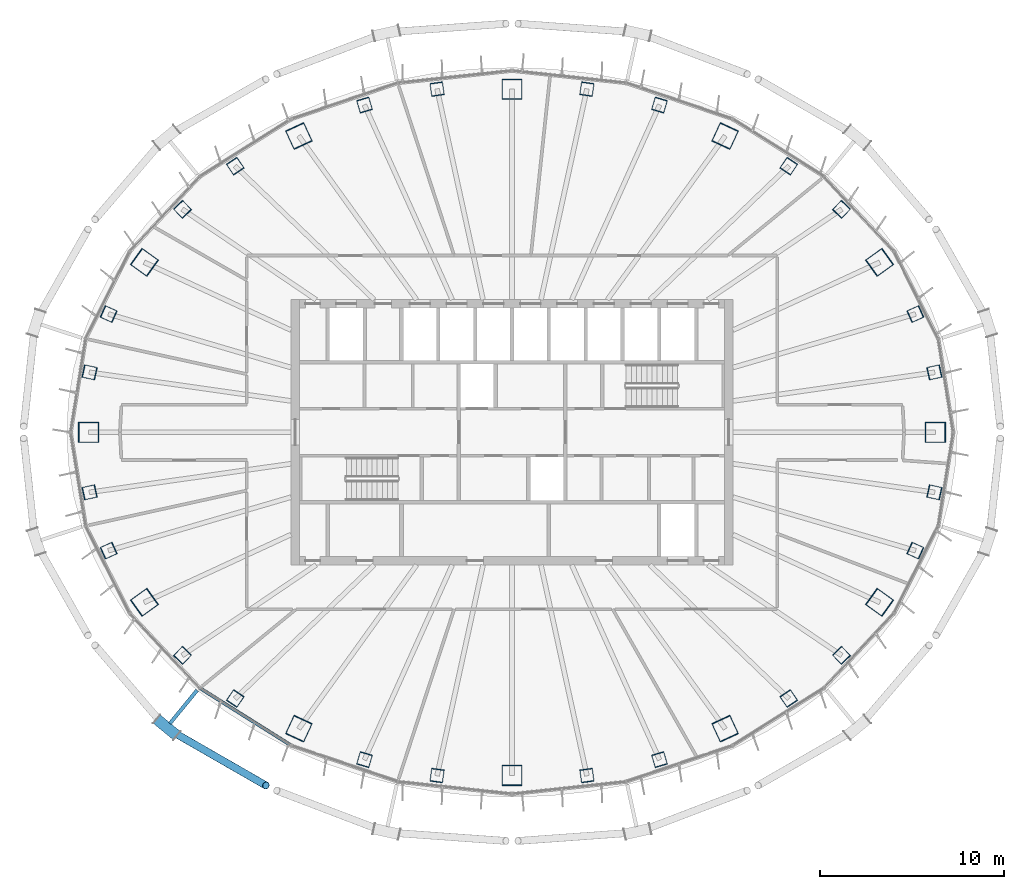
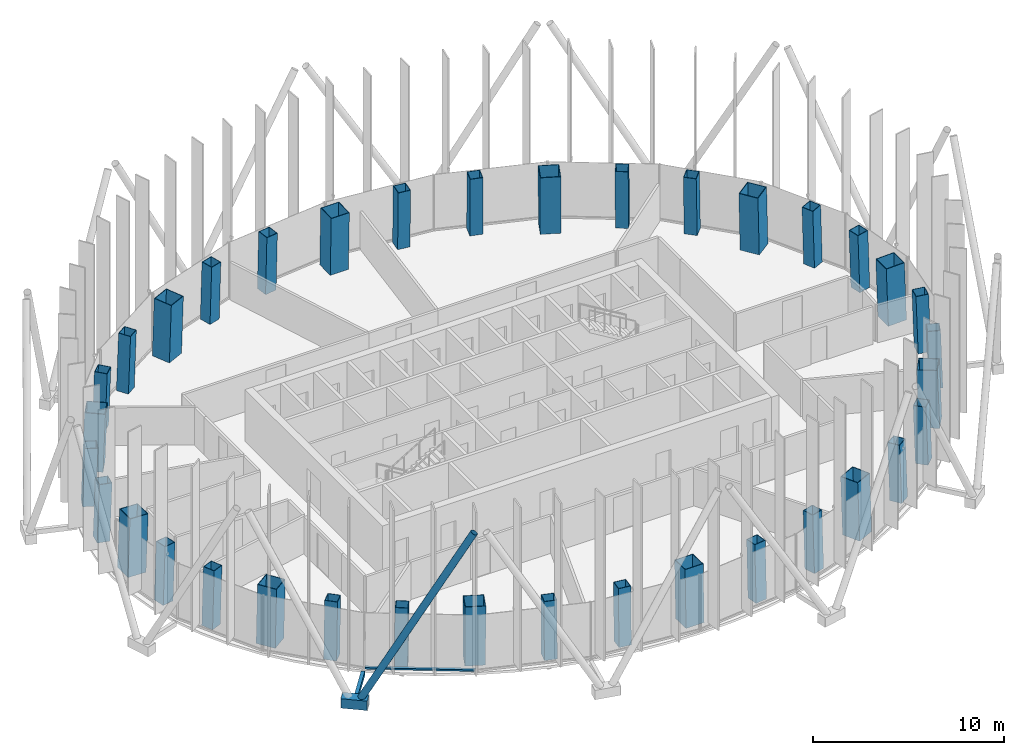
# One storey, part 1 of 18: 36 columns, 4 members, 1 element without a shape of its own.
"""IFC4 building model written with IfcOpenShell, lengths in metres."""

from ifc_helpers import new_model, si_unit, direction, frame, origin, origin_2d, place, context, subcontext, project, spatial, rectangle, hollow_rectangle, hollow_circle, extrude, material, layer, layer_set, material_profile, profile_set, type_object, element, aggregate, save


model = new_model("IFC4")

# Units and contexts
model_context = context("Model", 3, precision=1e-05, world=origin(), true_north=direction((0.0, 1.0)))
body_context = subcontext(model_context, "Body", "Model", "MODEL_VIEW")
ifc_project = project(units=[si_unit("LENGTHUNIT", "METRE"), si_unit("AREAUNIT", "SQUARE_METRE"), si_unit("VOLUMEUNIT", "CUBIC_METRE"), si_unit("PLANEANGLEUNIT", "RADIAN"), si_unit("MASSUNIT", "GRAM", prefix="KILO")], contexts=[model_context])

# Site, building, storey
site_placement = place(None, origin())
site = spatial("IfcSite", under=ifc_project, at=site_placement, CompositionType="ELEMENT")
building_placement = place(site_placement, origin())
building = spatial("IfcBuilding", under=site, at=building_placement, Name="Siaravel Broadcast Tower", CompositionType="ELEMENT")
storey_placement = place(building_placement, frame((0.0, 0.0, 157.10009765625)))
storey = spatial("IfcBuildingStorey", under=building, at=storey_placement, Name="L37", CompositionType="ELEMENT", Elevation=157.10009765625)

# Columns
ifc_material_1 = material(Name="Concrete C60/75", Category="concrete")
ifc_material_profile_1 = material_profile(ifc_material_1, hollow_rectangle(XDim=1.10009765625, YDim=1.10009765625, WallThickness=0.031982421875, at=origin_2d()))
ifc_profile_set_1 = profile_set([ifc_material_profile_1], Name="Concrete C60/75")
column_type_1 = type_object("IfcColumnType", Name="COL-CFT BOX 1100x1100x32", PredefinedType="COLUMN", material=ifc_profile_set_1)
column_1_placement = place(storey_placement, frame((23.0048828125, 0.0, 0.0), z_axis=(-0.034555398, 0.0, 0.999402784), x_axis=(0.0, -1.0, 0.0)))
element("IfcColumn", 1, at=column_1_placement, inside=storey, type_object=column_type_1, Name="Megacolumn MC01", PredefinedType="COLUMN", context=body_context, shape_type="SweptSolid", body=[
    extrude(hollow_rectangle(XDim=1.10009765625, YDim=1.10009765625, WallThickness=0.031982421875, at=origin_2d()), origin(), (0.0, 0.0, 1.0), 3.7021484375),
])
column_2_placement = place(storey_placement, frame((19.976318359375, 9.238525390625, 0.0), z_axis=(-0.029940667, -0.01417895, 0.999451106), x_axis=(0.583448476, -0.812128309, 0.005956979)))
element("IfcColumn", 2, at=column_2_placement, inside=storey, type_object=column_type_1, Name="Megacolumn MC02", PredefinedType="COLUMN", context=body_context, shape_type="SweptSolid", body=[
    extrude(hollow_rectangle(XDim=1.10009765625, YDim=1.10009765625, WallThickness=0.031982421875, at=origin_2d()), origin(), (0.0, 0.0, 1.0), 3.701904296875),
])
column_3_placement = place(storey_placement, frame((11.582275390625, 16.10498046875, 0.0), z_axis=(-0.017280237, -0.024535299, 0.999549605), x_axis=(0.908132266, -0.418648268, 0.005423523)))
element("IfcColumn", 3, at=column_3_placement, inside=storey, type_object=column_type_1, Name="Megacolumn MC03", PredefinedType="COLUMN", context=body_context, shape_type="SweptSolid", body=[
    extrude(hollow_rectangle(XDim=1.10009765625, YDim=1.10009765625, WallThickness=0.031982421875, at=origin_2d()), origin(), (0.0, 0.0, 1.0), 3.70166015625),
])
column_4_placement = place(storey_placement, frame((0.0, 18.64453125, 0.0), z_axis=(0.0, -0.028296154, 0.999599584), x_axis=(1.0, 0.0, 0.0)))
element("IfcColumn", 4, at=column_4_placement, inside=storey, type_object=column_type_1, Name="Megacolumn MC04", PredefinedType="COLUMN", context=body_context, shape_type="SweptSolid", body=[
    extrude(hollow_rectangle(XDim=1.10009765625, YDim=1.10009765625, WallThickness=0.031982421875, at=origin_2d()), origin(), (0.0, 0.0, 1.0), 3.701416015625),
])
column_5_placement = place(storey_placement, frame((-11.582275390625, 16.10498046875, 0.0), z_axis=(0.017280237, -0.024535299, 0.999549605), x_axis=(0.908132266, 0.418648268, -0.005423523)))
element("IfcColumn", 5, at=column_5_placement, inside=storey, type_object=column_type_1, Name="Megacolumn MC05", PredefinedType="COLUMN", context=body_context, shape_type="SweptSolid", body=[
    extrude(hollow_rectangle(XDim=1.10009765625, YDim=1.10009765625, WallThickness=0.031982421875, at=origin_2d()), origin(), (0.0, 0.0, 1.0), 3.70166015625),
])
column_6_placement = place(storey_placement, frame((-19.976318359375, 9.238525390625, 0.0), z_axis=(0.029940667, -0.01417895, 0.999451106), x_axis=(0.583448476, 0.812128309, -0.005956979)))
element("IfcColumn", 6, at=column_6_placement, inside=storey, type_object=column_type_1, Name="Megacolumn MC06", PredefinedType="COLUMN", context=body_context, shape_type="SweptSolid", body=[
    extrude(hollow_rectangle(XDim=1.10009765625, YDim=1.10009765625, WallThickness=0.031982421875, at=origin_2d()), origin(), (0.0, 0.0, 1.0), 3.701904296875),
])
column_7_placement = place(storey_placement, frame((-23.0048828125, 0.0, 0.0), z_axis=(0.034555398, 0.0, 0.999402784), x_axis=(0.0, 1.0, 0.0)))
element("IfcColumn", 7, at=column_7_placement, inside=storey, type_object=column_type_1, Name="Megacolumn MC07", PredefinedType="COLUMN", context=body_context, shape_type="SweptSolid", body=[
    extrude(hollow_rectangle(XDim=1.10009765625, YDim=1.10009765625, WallThickness=0.031982421875, at=origin_2d()), origin(), (0.0, 0.0, 1.0), 3.7021484375),
])
column_8_placement = place(storey_placement, frame((-19.976318359375, -9.238525390625, 0.0), z_axis=(0.029940667, 0.01417895, 0.999451106), x_axis=(-0.583448476, 0.812128309, 0.005956979)))
element("IfcColumn", 8, at=column_8_placement, inside=storey, type_object=column_type_1, Name="Megacolumn MC08", PredefinedType="COLUMN", context=body_context, shape_type="SweptSolid", body=[
    extrude(hollow_rectangle(XDim=1.10009765625, YDim=1.10009765625, WallThickness=0.031982421875, at=origin_2d()), origin(), (0.0, 0.0, 1.0), 3.701904296875),
])
column_9_placement = place(storey_placement, frame((-11.582275390625, -16.10498046875, 0.0), z_axis=(0.017280237, 0.024535299, 0.999549605), x_axis=(-0.908132266, 0.418648268, 0.005423523)))
element("IfcColumn", 9, at=column_9_placement, inside=storey, type_object=column_type_1, Name="Megacolumn MC09", PredefinedType="COLUMN", context=body_context, shape_type="SweptSolid", body=[
    extrude(hollow_rectangle(XDim=1.10009765625, YDim=1.10009765625, WallThickness=0.031982421875, at=origin_2d()), origin(), (0.0, 0.0, 1.0), 3.70166015625),
])
column_10_placement = place(storey_placement, frame((0.0, -18.64453125, 0.0), z_axis=(0.0, 0.028296154, 0.999599584), x_axis=(-1.0, 0.0, 0.0)))
element("IfcColumn", 10, at=column_10_placement, inside=storey, type_object=column_type_1, Name="Megacolumn MC10", PredefinedType="COLUMN", context=body_context, shape_type="SweptSolid", body=[
    extrude(hollow_rectangle(XDim=1.10009765625, YDim=1.10009765625, WallThickness=0.031982421875, at=origin_2d()), origin(), (0.0, 0.0, 1.0), 3.701416015625),
])
column_11_placement = place(storey_placement, frame((11.582275390625, -16.10498046875, 0.0), z_axis=(-0.017280237, 0.024535299, 0.999549605), x_axis=(-0.908132266, -0.418648268, -0.005423523)))
element("IfcColumn", 11, at=column_11_placement, inside=storey, type_object=column_type_1, Name="Megacolumn MC11", PredefinedType="COLUMN", context=body_context, shape_type="SweptSolid", body=[
    extrude(hollow_rectangle(XDim=1.10009765625, YDim=1.10009765625, WallThickness=0.031982421875, at=origin_2d()), origin(), (0.0, 0.0, 1.0), 3.70166015625),
])
column_12_placement = place(storey_placement, frame((19.976318359375, -9.238525390625, 0.0), z_axis=(-0.029940667, 0.01417895, 0.999451106), x_axis=(-0.583448476, -0.812128309, -0.005956979)))
element("IfcColumn", 12, at=column_12_placement, inside=storey, type_object=column_type_1, Name="Megacolumn MC12", PredefinedType="COLUMN", context=body_context, shape_type="SweptSolid", body=[
    extrude(hollow_rectangle(XDim=1.10009765625, YDim=1.10009765625, WallThickness=0.031982421875, at=origin_2d()), origin(), (0.0, 0.0, 1.0), 3.701904296875),
])
ifc_material_profile_2 = material_profile(ifc_material_1, hollow_rectangle(XDim=0.699951171875, YDim=0.699951171875, WallThickness=0.02490234375, at=origin_2d()))
ifc_profile_set_2 = profile_set([ifc_material_profile_2], Name="Concrete C60/75")
column_type_2 = type_object("IfcColumnType", Name="COL-CFT BOX 700x700x25", PredefinedType="COLUMN", material=ifc_profile_set_2)
for number, where, z_axis, x_axis, name in (
    (13, (22.95654296875, 3.26025390625, 0.0), (-0.034028045, -0.004879991, 0.999408964), (0.211730091, -0.97732514, 0.002436864), "Perimeter column C01"),
    (14, (21.920166015625, 6.42822265625, 0.0), (-0.032511791, -0.009694185, 0.999424337), (0.410124306, -0.912018556, 0.004495187), "Perimeter column C02"),
):
    element("IfcColumn", number, at=place(storey_placement, frame(where, z_axis=z_axis, x_axis=x_axis)), inside=storey, type_object=column_type_2, Name=name, PredefinedType="COLUMN", context=body_context, shape_type="SweptSolid", body=[
        extrude(hollow_rectangle(XDim=0.699951171875, YDim=0.699951171875, WallThickness=0.02490234375, at=origin_2d()), origin(), (0.0, 0.0, 1.0), 3.7021484375),
    ])
column_13_placement = place(storey_placement, frame((17.906494140625, 12.119140625, 0.0), z_axis=(-0.026446274, -0.018202423, 0.9994845), x_axis=(0.720935509, -0.69297209, 0.006455615)))
element("IfcColumn", 15, at=column_13_placement, inside=storey, type_object=column_type_2, Name="Perimeter column C03", PredefinedType="COLUMN", context=body_context, shape_type="SweptSolid", body=[
    extrude(hollow_rectangle(XDim=0.699951171875, YDim=0.699951171875, WallThickness=0.02490234375, at=origin_2d()), origin(), (0.0, 0.0, 1.0), 3.701904296875),
])
column_14_placement = place(storey_placement, frame((15.041259765625, 14.466064453125, 0.0), z_axis=(-0.022226124, -0.021764453, 0.999516037), x_axis=(0.829101805, -0.559062582, 0.006263059)))
element("IfcColumn", 16, at=column_14_placement, inside=storey, type_object=column_type_2, Name="Perimeter column C04", PredefinedType="COLUMN", context=body_context, shape_type="SweptSolid", body=[
    extrude(hollow_rectangle(XDim=0.699951171875, YDim=0.699951171875, WallThickness=0.02490234375, at=origin_2d()), origin(), (0.0, 0.0, 1.0), 3.70166015625),
])
for number, where, z_axis, x_axis, name in (
    (17, (8.015869140625, 17.787109375, 0.0), (-0.011872234, -0.026580613, 0.999576171), (0.959241978, -0.282559334, 0.003879389), "Perimeter column C05"),
    (18, (4.0712890625, 18.65283203125, 0.0), (-0.005936218, -0.027900223, 0.999593087), (0.990461443, -0.137775115, 0.002036467), "Perimeter column C06"),
    (19, (-4.0712890625, 18.65283203125, 0.0), (0.005936218, -0.027900223, 0.999593087), (0.990461443, 0.137775115, -0.002036467), "Perimeter column C07"),
    (20, (-8.015869140625, 17.787109375, 0.0), (0.011872234, -0.026580613, 0.999576171), (0.959241978, 0.282559334, -0.003879389), "Perimeter column C08"),
):
    element("IfcColumn", number, at=place(storey_placement, frame(where, z_axis=z_axis, x_axis=x_axis)), inside=storey, type_object=column_type_2, Name=name, PredefinedType="COLUMN", context=body_context, shape_type="SweptSolid", body=[
        extrude(hollow_rectangle(XDim=0.699951171875, YDim=0.699951171875, WallThickness=0.02490234375, at=origin_2d()), origin(), (0.0, 0.0, 1.0), 3.701416015625),
    ])
column_15_placement = place(storey_placement, frame((-15.041259765625, 14.466064453125, 0.0), z_axis=(0.022226124, -0.021764453, 0.999516037), x_axis=(0.829101805, 0.559062582, -0.006263059)))
element("IfcColumn", 21, at=column_15_placement, inside=storey, type_object=column_type_2, Name="Perimeter column C09", PredefinedType="COLUMN", context=body_context, shape_type="SweptSolid", body=[
    extrude(hollow_rectangle(XDim=0.699951171875, YDim=0.699951171875, WallThickness=0.02490234375, at=origin_2d()), origin(), (0.0, 0.0, 1.0), 3.70166015625),
])
column_16_placement = place(storey_placement, frame((-17.906494140625, 12.119140625, 0.0), z_axis=(0.026446274, -0.018202423, 0.9994845), x_axis=(0.720935509, 0.69297209, -0.006455615)))
element("IfcColumn", 22, at=column_16_placement, inside=storey, type_object=column_type_2, Name="Perimeter column C10", PredefinedType="COLUMN", context=body_context, shape_type="SweptSolid", body=[
    extrude(hollow_rectangle(XDim=0.699951171875, YDim=0.699951171875, WallThickness=0.02490234375, at=origin_2d()), origin(), (0.0, 0.0, 1.0), 3.701904296875),
])
for number, where, z_axis, x_axis, name in (
    (23, (-21.920166015625, 6.42822265625, 0.0), (0.032511791, -0.009694185, 0.999424337), (0.410124306, 0.912018556, -0.004495187), "Perimeter column C11"),
    (24, (-22.95654296875, 3.26025390625, 0.0), (0.034028045, -0.004879991, 0.999408964), (0.211730091, 0.97732514, -0.002436864), "Perimeter column C12"),
    (25, (-22.95654296875, -3.26025390625, 0.0), (0.034028045, 0.004879991, 0.999408964), (-0.211730091, 0.97732514, 0.002436864), "Perimeter column C13"),
    (26, (-21.920166015625, -6.42822265625, 0.0), (0.032511791, 0.009694185, 0.999424337), (-0.410124306, 0.912018556, 0.004495187), "Perimeter column C14"),
):
    element("IfcColumn", number, at=place(storey_placement, frame(where, z_axis=z_axis, x_axis=x_axis)), inside=storey, type_object=column_type_2, Name=name, PredefinedType="COLUMN", context=body_context, shape_type="SweptSolid", body=[
        extrude(hollow_rectangle(XDim=0.699951171875, YDim=0.699951171875, WallThickness=0.02490234375, at=origin_2d()), origin(), (0.0, 0.0, 1.0), 3.7021484375),
    ])
column_17_placement = place(storey_placement, frame((-17.906494140625, -12.119140625, 0.0), z_axis=(0.026446274, 0.018202423, 0.9994845), x_axis=(-0.720935509, 0.69297209, 0.006455615)))
element("IfcColumn", 27, at=column_17_placement, inside=storey, type_object=column_type_2, Name="Perimeter column C15", PredefinedType="COLUMN", context=body_context, shape_type="SweptSolid", body=[
    extrude(hollow_rectangle(XDim=0.699951171875, YDim=0.699951171875, WallThickness=0.02490234375, at=origin_2d()), origin(), (0.0, 0.0, 1.0), 3.701904296875),
])
column_18_placement = place(storey_placement, frame((-15.041259765625, -14.466064453125, 0.0), z_axis=(0.022226124, 0.021764453, 0.999516037), x_axis=(-0.829101805, 0.559062582, 0.006263059)))
element("IfcColumn", 28, at=column_18_placement, inside=storey, type_object=column_type_2, Name="Perimeter column C16", PredefinedType="COLUMN", context=body_context, shape_type="SweptSolid", body=[
    extrude(hollow_rectangle(XDim=0.699951171875, YDim=0.699951171875, WallThickness=0.02490234375, at=origin_2d()), origin(), (0.0, 0.0, 1.0), 3.70166015625),
])
for number, where, z_axis, x_axis, name in (
    (29, (-8.015869140625, -17.787109375, 0.0), (0.011872234, 0.026580613, 0.999576171), (-0.959241978, 0.282559334, 0.003879389), "Perimeter column C17"),
    (30, (-4.0712890625, -18.65283203125, 0.0), (0.005936218, 0.027900223, 0.999593087), (-0.990461443, 0.137775115, 0.002036467), "Perimeter column C18"),
    (31, (4.0712890625, -18.65283203125, 0.0), (-0.005936218, 0.027900223, 0.999593087), (-0.990461443, -0.137775115, -0.002036467), "Perimeter column C19"),
    (32, (8.015869140625, -17.787109375, 0.0), (-0.011872234, 0.026580613, 0.999576171), (-0.959241978, -0.282559334, -0.003879389), "Perimeter column C20"),
):
    element("IfcColumn", number, at=place(storey_placement, frame(where, z_axis=z_axis, x_axis=x_axis)), inside=storey, type_object=column_type_2, Name=name, PredefinedType="COLUMN", context=body_context, shape_type="SweptSolid", body=[
        extrude(hollow_rectangle(XDim=0.699951171875, YDim=0.699951171875, WallThickness=0.02490234375, at=origin_2d()), origin(), (0.0, 0.0, 1.0), 3.701416015625),
    ])
column_19_placement = place(storey_placement, frame((15.041259765625, -14.466064453125, 0.0), z_axis=(-0.022226124, 0.021764453, 0.999516037), x_axis=(-0.829101805, -0.559062582, -0.006263059)))
element("IfcColumn", 33, at=column_19_placement, inside=storey, type_object=column_type_2, Name="Perimeter column C21", PredefinedType="COLUMN", context=body_context, shape_type="SweptSolid", body=[
    extrude(hollow_rectangle(XDim=0.699951171875, YDim=0.699951171875, WallThickness=0.02490234375, at=origin_2d()), origin(), (0.0, 0.0, 1.0), 3.70166015625),
])
column_20_placement = place(storey_placement, frame((17.906494140625, -12.119140625, 0.0), z_axis=(-0.026446274, 0.018202423, 0.9994845), x_axis=(-0.720935509, -0.69297209, -0.006455615)))
element("IfcColumn", 34, at=column_20_placement, inside=storey, type_object=column_type_2, Name="Perimeter column C22", PredefinedType="COLUMN", context=body_context, shape_type="SweptSolid", body=[
    extrude(hollow_rectangle(XDim=0.699951171875, YDim=0.699951171875, WallThickness=0.02490234375, at=origin_2d()), origin(), (0.0, 0.0, 1.0), 3.701904296875),
])
for number, where, z_axis, x_axis, name in (
    (35, (21.920166015625, -6.42822265625, 0.0), (-0.032511791, 0.009694185, 0.999424337), (-0.410124306, -0.912018556, -0.004495187), "Perimeter column C23"),
    (36, (22.95654296875, -3.26025390625, 0.0), (-0.034028045, 0.004879991, 0.999408964), (-0.211730091, -0.97732514, -0.002436864), "Perimeter column C24"),
):
    element("IfcColumn", number, at=place(storey_placement, frame(where, z_axis=z_axis, x_axis=x_axis)), inside=storey, type_object=column_type_2, Name=name, PredefinedType="COLUMN", context=body_context, shape_type="SweptSolid", body=[
        extrude(hollow_rectangle(XDim=0.699951171875, YDim=0.699951171875, WallThickness=0.02490234375, at=origin_2d()), origin(), (0.0, 0.0, 1.0), 3.7021484375),
    ])

# Curtain wall, member
ifc_material_2 = material(Name="Aluminium 6063-T6", Category="aluminium")
ifc_layer = layer(ifc_material_2, 0.179931640625)
ifc_layer_set = layer_set([ifc_layer], Name="Aluminium 6063-T6")
curtain_wall_type = type_object("IfcCurtainWallType", Name="Unitised curtain wall, zone 3", PredefinedType="NOTDEFINED", material=ifc_layer_set)
curtain_wall_placement = place(storey_placement, origin())
curtain_wall = element("IfcCurtainWall", 37, at=curtain_wall_placement, inside=storey, type_object=curtain_wall_type, Name="L37 Unitised curtain wall, zone 3 08", PredefinedType="NOTDEFINED")
ifc_material_profile_3 = material_profile(ifc_material_2, rectangle(XDim=0.179931640625, YDim=0.10009765625, at=origin_2d()))
ifc_profile_set_3 = profile_set([ifc_material_profile_3], Name="Aluminium 6063-T6")
member_type_1 = type_object("IfcMemberType", Name="CW-Z3 transom", PredefinedType="USERDEFINED", material=ifc_profile_set_3)
member_1_placement = place(storey_placement, frame((-16.915283203125, -13.905029296875, 0.0498046875), z_axis=(0.846664863, -0.532126498, 0.0), x_axis=(0.532126498, 0.846664863, 0.0)))
member_1 = element("IfcMember", 38, at=member_1_placement, type_object=member_type_1, Name="CW-Z3 transom 2", ObjectType="TRANSOM", PredefinedType="USERDEFINED", context=body_context, shape_type="SweptSolid", body=[
    extrude(rectangle(XDim=0.179931640625, YDim=0.10009765625, at=origin_2d()), origin(), (0.0, 0.0, 1.0), 5.771728515625),
])
aggregate(curtain_wall, [member_1])

# Members
ifc_material_3 = material(Name="Steel S460", Category="steel")
ifc_material_profile_4 = material_profile(ifc_material_3, hollow_circle(Radius=0.203125, WallThickness=0.01611328125, at=origin_2d()))
ifc_profile_set_4 = profile_set([ifc_material_profile_4], Name="Steel S460")
member_type_2 = type_object("IfcMemberType", Name="Diagrid diagonal CHS 406.4x16", PredefinedType="BRACE", material=ifc_profile_set_4)
member_2_placement = place(storey_placement, frame((-18.4970703125, -16.222900390625, 0.06982421875), z_axis=(0.424221935, -0.2438268, 0.87211481), x_axis=(0.498316276, 0.866995323, 0.0)))
element("IfcMember", 39, at=member_2_placement, inside=storey, type_object=member_type_2, Name="Diagrid diagonal R16 station 45A", PredefinedType="BRACE", context=body_context, shape_type="SweptSolid", body=[
    extrude(hollow_circle(Radius=0.203125, WallThickness=0.01611328125, at=origin_2d()), origin(), (0.0, 0.0, 1.0), 12.108642578125),
])
ifc_material_profile_5 = material_profile(ifc_material_3, hollow_rectangle(XDim=0.60009765625, YDim=0.60009765625, WallThickness=0.0400390625, at=origin_2d()))
ifc_profile_set_5 = profile_set([ifc_material_profile_5], Name="Steel S460")
member_type_3 = type_object("IfcMemberType", Name="Diagrid node BOX 600x600x40", PredefinedType="USERDEFINED", material=ifc_profile_set_5)
member_3_placement = place(storey_placement, frame((-19.288818359375, -15.574462890625, -0.2001953125), z_axis=(0.773584133, -0.633693609, 0.0), x_axis=(0.633693609, 0.773584133, 0.0)))
element("IfcMember", 40, at=member_3_placement, inside=storey, type_object=member_type_3, Name="Diagrid node R16 station 45", ObjectType="DIAGRID NODE", PredefinedType="USERDEFINED", context=body_context, shape_type="SweptSolid", body=[
    extrude(hollow_rectangle(XDim=0.60009765625, YDim=0.60009765625, WallThickness=0.0400390625, at=origin_2d()), origin(), (0.0, 0.0, 1.0), 1.399658203125),
])
ifc_material_profile_6 = material_profile(ifc_material_3, hollow_rectangle(XDim=0.199951171875, YDim=0.300048828125, WallThickness=0.012451171875, at=origin_2d()))
ifc_profile_set_6 = profile_set([ifc_material_profile_6], Name="Steel S460")
member_type_4 = type_object("IfcMemberType", Name="Diagrid node arm RHS 300x200x12.5", PredefinedType="STRUT", material=ifc_profile_set_6)
member_4_placement = place(storey_placement, frame((-17.099853515625, -14.006591796875, -0.2001953125), z_axis=(-0.633699844, -0.773579025, 0.0), x_axis=(0.773579025, -0.633699844, 0.0)))
element("IfcMember", 41, at=member_4_placement, inside=storey, type_object=member_type_4, Name="Node arm R16 station 45", PredefinedType="STRUT", context=body_context, shape_type="SweptSolid", body=[
    extrude(hollow_rectangle(XDim=0.199951171875, YDim=0.300048828125, WallThickness=0.012451171875, at=origin_2d()), origin(), (0.0, 0.0, 1.0), 2.330078125),
])

save(model, "model.ifc")
